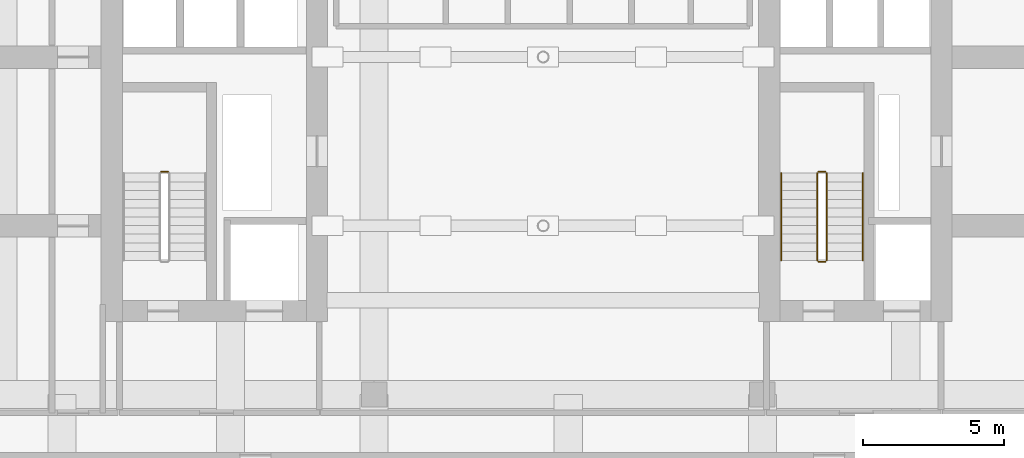
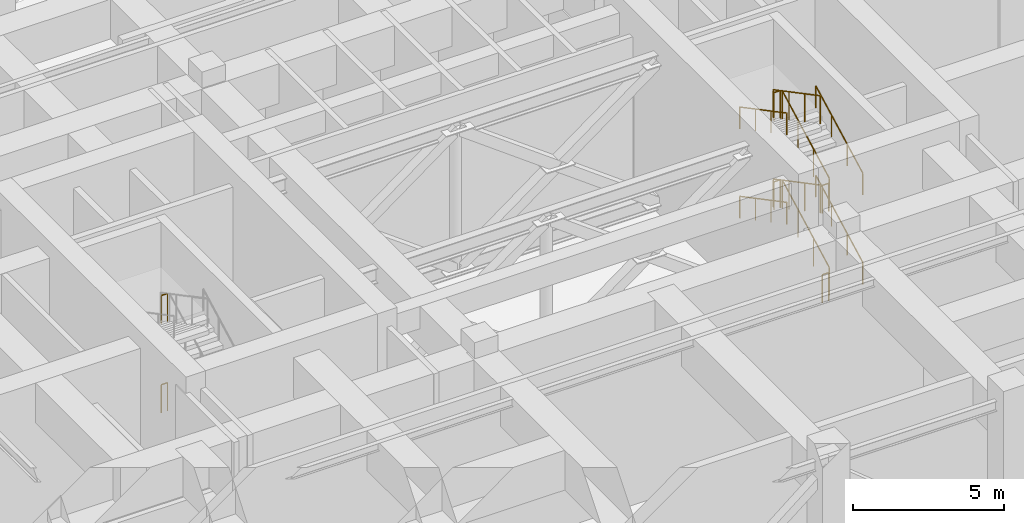
# One storey, part 9 of 10: 14 railings.
"""IFC4 building model written with IfcOpenShell, lengths in metres."""

from ifc_helpers import new_model, si_unit, direction, frame, origin, origin_2d, place, context, subcontext, project, spatial, circle, extrude, material, type_object, element, save


model = new_model("IFC4")

# Units and contexts
model_context = context("Model", 3, precision=1e-05, world=origin(), true_north=direction((0.0, 1.0)))
body_context = subcontext(model_context, "Body", "Model", "MODEL_VIEW")
ifc_project = project(units=[si_unit("LENGTHUNIT", "METRE"), si_unit("AREAUNIT", "SQUARE_METRE"), si_unit("VOLUMEUNIT", "CUBIC_METRE"), si_unit("PLANEANGLEUNIT", "RADIAN"), si_unit("MASSUNIT", "GRAM", prefix="KILO")], contexts=[model_context])

# Site, building, storey
site_placement = place(None, origin())
site = spatial("IfcSite", under=ifc_project, at=site_placement, CompositionType="ELEMENT")
building_placement = place(site_placement, origin())
building = spatial("IfcBuilding", under=site, at=building_placement, Name="Khoralis Quay Care Tower", CompositionType="ELEMENT")
storey_placement = place(building_placement, frame((0.0, 0.0, 148.5)))
storey = spatial("IfcBuildingStorey", under=building, at=storey_placement, Name="L39", CompositionType="ELEMENT", Elevation=148.5)

# Railings
ifc_material = material(Name="Brushed stainless steel", Category="steel")
railing_type_1 = type_object("IfcRailingType", Name="RL-GUARD-1150", PredefinedType="GUARDRAIL", material=ifc_material)
for number, where, name in (
    (1, (9.77001953125, 19.919921875, 1.800048828125), "L39 ST-T1 stair guard 2"),
    (2, (9.77001953125, 19.919921875, 5.39990234375), "L39 ST-T1 stair guard 6"),
):
    element("IfcRailing", number, at=place(storey_placement, frame(where)), inside=storey, type_object=railing_type_1, Name=name, PredefinedType="GUARDRAIL", context=body_context, shape_type="SweptSolid", body=[
        extrude(circle(Radius=0.02392578125, at=origin_2d()), frame((0.0, 0.0, 1.1259765625), z_axis=(-1.0, 0.0, 0.0), x_axis=(0.0, -1.0, 0.0)), (0.0, 0.0, 1.0), 0.239990234375),
        extrude(circle(Radius=0.02099609375, at=origin_2d()), origin(), (0.0, 0.0, 1.0), 1.101806640625),
        extrude(circle(Radius=0.02099609375, at=origin_2d()), frame((-0.239990234375, 0.0, 0.0)), (0.0, 0.0, 1.0), 1.101806640625),
    ])
railing_1_placement = place(storey_placement, frame((33.18994140625, 16.77001953125, 0.16357421875)))
element("IfcRailing", 3, at=railing_1_placement, inside=storey, type_object=railing_type_1, Name="L39 ST-T2 stair guard 1", PredefinedType="GUARDRAIL", context=body_context, shape_type="SweptSolid", body=[
    extrude(circle(Radius=0.02392578125, at=origin_2d()), frame((0.0, 0.0, 1.1259765625), z_axis=(0.0, 0.884348015382, 0.466828220752), x_axis=(-1.0, 0.0, 0.0)), (0.0, 0.0, 1.0), 3.505615234375),
    extrude(circle(Radius=0.02099609375, at=origin_2d()), origin(), (0.0, 0.0, 1.0), 1.101806640625),
    extrude(circle(Radius=0.02099609375, at=origin_2d()), frame((0.0, 1.033447265625, 0.54541015625)), (0.0, 0.0, 1.0), 1.101806640625),
    extrude(circle(Radius=0.02099609375, at=origin_2d()), frame((0.0, 2.066650390625, 1.091064453125)), (0.0, 0.0, 1.0), 1.101806640625),
    extrude(circle(Radius=0.02099609375, at=origin_2d()), frame((0.0, 3.10009765625, 1.636474609375)), (0.0, 0.0, 1.0), 1.101806640625),
])
railing_2_placement = place(storey_placement, frame((33.139892578125, 19.919921875, 1.800048828125)))
element("IfcRailing", 4, at=railing_2_placement, inside=storey, type_object=railing_type_1, Name="L39 ST-T2 stair guard 2", PredefinedType="GUARDRAIL", context=body_context, shape_type="SweptSolid", body=[
    extrude(circle(Radius=0.02392578125, at=origin_2d()), frame((0.0, 0.0, 1.1259765625), z_axis=(-1.0, 0.0, 0.0), x_axis=(0.0, -1.0, 0.0)), (0.0, 0.0, 1.0), 0.239990234375),
    extrude(circle(Radius=0.02099609375, at=origin_2d()), origin(), (0.0, 0.0, 1.0), 1.101806640625),
    extrude(circle(Radius=0.02099609375, at=origin_2d()), frame((-0.239990234375, 0.0, 0.0)), (0.0, 0.0, 1.0), 1.101806640625),
])
railing_3_placement = place(storey_placement, frame((32.85009765625, 19.8701171875, 1.963623046875)))
element("IfcRailing", 5, at=railing_3_placement, inside=storey, type_object=railing_type_1, Name="L39 ST-T2 stair guard 3", PredefinedType="GUARDRAIL", context=body_context, shape_type="SweptSolid", body=[
    extrude(circle(Radius=0.02392578125, at=origin_2d()), frame((0.0, 0.0, 1.1259765625), z_axis=(0.0, -0.884348015382, 0.466828220752), x_axis=(1.0, 0.0, 0.0)), (0.0, 0.0, 1.0), 3.505615234375),
    extrude(circle(Radius=0.02099609375, at=origin_2d()), origin(), (0.0, 0.0, 1.0), 1.101806640625),
    extrude(circle(Radius=0.02099609375, at=origin_2d()), frame((0.0, -1.033447265625, 0.54541015625)), (0.0, 0.0, 1.0), 1.101806640625),
    extrude(circle(Radius=0.02099609375, at=origin_2d()), frame((0.0, -2.066650390625, 1.091064453125)), (0.0, 0.0, 1.0), 1.101806640625),
    extrude(circle(Radius=0.02099609375, at=origin_2d()), frame((0.0, -3.10009765625, 1.636474609375)), (0.0, 0.0, 1.0), 1.101806640625),
])
railing_4_placement = place(storey_placement, frame((33.139892578125, 16.719970703125, 3.60009765625)))
element("IfcRailing", 6, at=railing_4_placement, inside=storey, type_object=railing_type_1, Name="L39 ST-T2 stair guard 4", PredefinedType="GUARDRAIL", context=body_context, shape_type="SweptSolid", body=[
    extrude(circle(Radius=0.02392578125, at=origin_2d()), frame((0.0, 0.0, 1.1259765625), z_axis=(-1.0, 0.0, 0.0), x_axis=(0.0, -1.0, 0.0)), (0.0, 0.0, 1.0), 0.239990234375),
    extrude(circle(Radius=0.02099609375, at=origin_2d()), origin(), (0.0, 0.0, 1.0), 1.101806640625),
    extrude(circle(Radius=0.02099609375, at=origin_2d()), frame((-0.239990234375, 0.0, 0.0)), (0.0, 0.0, 1.0), 1.101806640625),
])
railing_5_placement = place(storey_placement, frame((33.18994140625, 16.77001953125, 3.763671875)))
element("IfcRailing", 7, at=railing_5_placement, inside=storey, type_object=railing_type_1, Name="L39 ST-T2 stair guard 5", PredefinedType="GUARDRAIL", context=body_context, shape_type="SweptSolid", body=[
    extrude(circle(Radius=0.02392578125, at=origin_2d()), frame((0.0, 0.0, 1.1259765625), z_axis=(0.0, 0.884376766648, 0.46677375099), x_axis=(-1.0, 0.0, 0.0)), (0.0, 0.0, 1.0), 3.50537109375),
    extrude(circle(Radius=0.02099609375, at=origin_2d()), origin(), (0.0, 0.0, 1.0), 1.101806640625),
    extrude(circle(Radius=0.02099609375, at=origin_2d()), frame((0.0, 1.033447265625, 0.54541015625)), (0.0, 0.0, 1.0), 1.101806640625),
    extrude(circle(Radius=0.02099609375, at=origin_2d()), frame((0.0, 2.066650390625, 1.0908203125)), (0.0, 0.0, 1.0), 1.101806640625),
    extrude(circle(Radius=0.02099609375, at=origin_2d()), frame((0.0, 3.10009765625, 1.63623046875)), (0.0, 0.0, 1.0), 1.101806640625),
])
railing_6_placement = place(storey_placement, frame((33.139892578125, 19.919921875, 5.39990234375)))
element("IfcRailing", 8, at=railing_6_placement, inside=storey, type_object=railing_type_1, Name="L39 ST-T2 stair guard 6", PredefinedType="GUARDRAIL", context=body_context, shape_type="SweptSolid", body=[
    extrude(circle(Radius=0.02392578125, at=origin_2d()), frame((0.0, 0.0, 1.1259765625), z_axis=(-1.0, 0.0, 0.0), x_axis=(0.0, -1.0, 0.0)), (0.0, 0.0, 1.0), 0.239990234375),
    extrude(circle(Radius=0.02099609375, at=origin_2d()), origin(), (0.0, 0.0, 1.0), 1.101806640625),
    extrude(circle(Radius=0.02099609375, at=origin_2d()), frame((-0.239990234375, 0.0, 0.0)), (0.0, 0.0, 1.0), 1.101806640625),
])
railing_7_placement = place(storey_placement, frame((32.85009765625, 19.8701171875, 5.563720703125)))
element("IfcRailing", 9, at=railing_7_placement, inside=storey, type_object=railing_type_1, Name="L39 ST-T2 stair guard 7", PredefinedType="GUARDRAIL", context=body_context, shape_type="SweptSolid", body=[
    extrude(circle(Radius=0.02392578125, at=origin_2d()), frame((0.0, 0.0, 1.1259765625), z_axis=(0.0, -0.884376766648, 0.46677375099), x_axis=(1.0, 0.0, 0.0)), (0.0, 0.0, 1.0), 3.50537109375),
    extrude(circle(Radius=0.02099609375, at=origin_2d()), origin(), (0.0, 0.0, 1.0), 1.101806640625),
    extrude(circle(Radius=0.02099609375, at=origin_2d()), frame((0.0, -1.033447265625, 0.54541015625)), (0.0, 0.0, 1.0), 1.101806640625),
    extrude(circle(Radius=0.02099609375, at=origin_2d()), frame((0.0, -2.066650390625, 1.0908203125)), (0.0, 0.0, 1.0), 1.101806640625),
    extrude(circle(Radius=0.02099609375, at=origin_2d()), frame((0.0, -3.10009765625, 1.63623046875)), (0.0, 0.0, 1.0), 1.101806640625),
])
railing_8_placement = place(storey_placement, frame((33.139892578125, 16.719970703125, 0.0)))
element("IfcRailing", 10, at=railing_8_placement, inside=storey, type_object=railing_type_1, Name="L39 ST-T2 stair guard 8", PredefinedType="GUARDRAIL", context=body_context, shape_type="SweptSolid", body=[
    extrude(circle(Radius=0.02392578125, at=origin_2d()), frame((0.0, 0.0, 1.1259765625), z_axis=(-1.0, 0.0, 0.0), x_axis=(0.0, -1.0, 0.0)), (0.0, 0.0, 1.0), 0.239990234375),
    extrude(circle(Radius=0.02099609375, at=origin_2d()), origin(), (0.0, 0.0, 1.0), 1.101806640625),
    extrude(circle(Radius=0.02099609375, at=origin_2d()), frame((-0.239990234375, 0.0, 0.0)), (0.0, 0.0, 1.0), 1.101806640625),
])
railing_type_2 = type_object("IfcRailingType", Name="RL-HAND-900", PredefinedType="HANDRAIL", material=ifc_material)
railing_9_placement = place(storey_placement, frame((34.469970703125, 16.77001953125, 0.16357421875)))
element("IfcRailing", 11, at=railing_9_placement, inside=storey, type_object=railing_type_2, Name="L39 ST-T2 stair handrail 1", PredefinedType="HANDRAIL", context=body_context, shape_type="SweptSolid", body=[
    extrude(circle(Radius=0.02392578125, at=origin_2d()), frame((0.0, 0.0, 0.8759765625), z_axis=(0.0, 0.884348015382, 0.466828220752), x_axis=(-1.0, 0.0, 0.0)), (0.0, 0.0, 1.0), 3.505615234375),
    extrude(circle(Radius=0.02099609375, at=origin_2d()), origin(), (0.0, 0.0, 1.0), 0.851806640625),
    extrude(circle(Radius=0.02099609375, at=origin_2d()), frame((0.0, 1.033447265625, 0.54541015625)), (0.0, 0.0, 1.0), 0.851806640625),
    extrude(circle(Radius=0.02099609375, at=origin_2d()), frame((0.0, 2.066650390625, 1.091064453125)), (0.0, 0.0, 1.0), 0.851806640625),
    extrude(circle(Radius=0.02099609375, at=origin_2d()), frame((0.0, 3.10009765625, 1.636474609375)), (0.0, 0.0, 1.0), 0.851806640625),
])
railing_10_placement = place(storey_placement, frame((31.570068359375, 19.8701171875, 1.963623046875)))
element("IfcRailing", 12, at=railing_10_placement, inside=storey, type_object=railing_type_2, Name="L39 ST-T2 stair handrail 2", PredefinedType="HANDRAIL", context=body_context, shape_type="SweptSolid", body=[
    extrude(circle(Radius=0.02392578125, at=origin_2d()), frame((0.0, 0.0, 0.8759765625), z_axis=(0.0, -0.884348015382, 0.466828220752), x_axis=(1.0, 0.0, 0.0)), (0.0, 0.0, 1.0), 3.505615234375),
    extrude(circle(Radius=0.02099609375, at=origin_2d()), origin(), (0.0, 0.0, 1.0), 0.851806640625),
    extrude(circle(Radius=0.02099609375, at=origin_2d()), frame((0.0, -1.033447265625, 0.54541015625)), (0.0, 0.0, 1.0), 0.851806640625),
    extrude(circle(Radius=0.02099609375, at=origin_2d()), frame((0.0, -2.066650390625, 1.091064453125)), (0.0, 0.0, 1.0), 0.851806640625),
    extrude(circle(Radius=0.02099609375, at=origin_2d()), frame((0.0, -3.10009765625, 1.636474609375)), (0.0, 0.0, 1.0), 0.851806640625),
])
railing_11_placement = place(storey_placement, frame((34.469970703125, 16.77001953125, 3.763671875)))
element("IfcRailing", 13, at=railing_11_placement, inside=storey, type_object=railing_type_2, Name="L39 ST-T2 stair handrail 3", PredefinedType="HANDRAIL", context=body_context, shape_type="SweptSolid", body=[
    extrude(circle(Radius=0.02392578125, at=origin_2d()), frame((0.0, 0.0, 0.8759765625), z_axis=(0.0, 0.884376766648, 0.46677375099), x_axis=(-1.0, 0.0, 0.0)), (0.0, 0.0, 1.0), 3.50537109375),
    extrude(circle(Radius=0.02099609375, at=origin_2d()), origin(), (0.0, 0.0, 1.0), 0.851806640625),
    extrude(circle(Radius=0.02099609375, at=origin_2d()), frame((0.0, 1.033447265625, 0.54541015625)), (0.0, 0.0, 1.0), 0.851806640625),
    extrude(circle(Radius=0.02099609375, at=origin_2d()), frame((0.0, 2.066650390625, 1.0908203125)), (0.0, 0.0, 1.0), 0.851806640625),
    extrude(circle(Radius=0.02099609375, at=origin_2d()), frame((0.0, 3.10009765625, 1.63623046875)), (0.0, 0.0, 1.0), 0.851806640625),
])
railing_12_placement = place(storey_placement, frame((31.570068359375, 19.8701171875, 5.563720703125)))
element("IfcRailing", 14, at=railing_12_placement, inside=storey, type_object=railing_type_2, Name="L39 ST-T2 stair handrail 4", PredefinedType="HANDRAIL", context=body_context, shape_type="SweptSolid", body=[
    extrude(circle(Radius=0.02392578125, at=origin_2d()), frame((0.0, 0.0, 0.8759765625), z_axis=(0.0, -0.884376766648, 0.46677375099), x_axis=(1.0, 0.0, 0.0)), (0.0, 0.0, 1.0), 3.50537109375),
    extrude(circle(Radius=0.02099609375, at=origin_2d()), origin(), (0.0, 0.0, 1.0), 0.851806640625),
    extrude(circle(Radius=0.02099609375, at=origin_2d()), frame((0.0, -1.033447265625, 0.54541015625)), (0.0, 0.0, 1.0), 0.851806640625),
    extrude(circle(Radius=0.02099609375, at=origin_2d()), frame((0.0, -2.066650390625, 1.0908203125)), (0.0, 0.0, 1.0), 0.851806640625),
    extrude(circle(Radius=0.02099609375, at=origin_2d()), frame((0.0, -3.10009765625, 1.63623046875)), (0.0, 0.0, 1.0), 0.851806640625),
])

save(model, "model.ifc")
